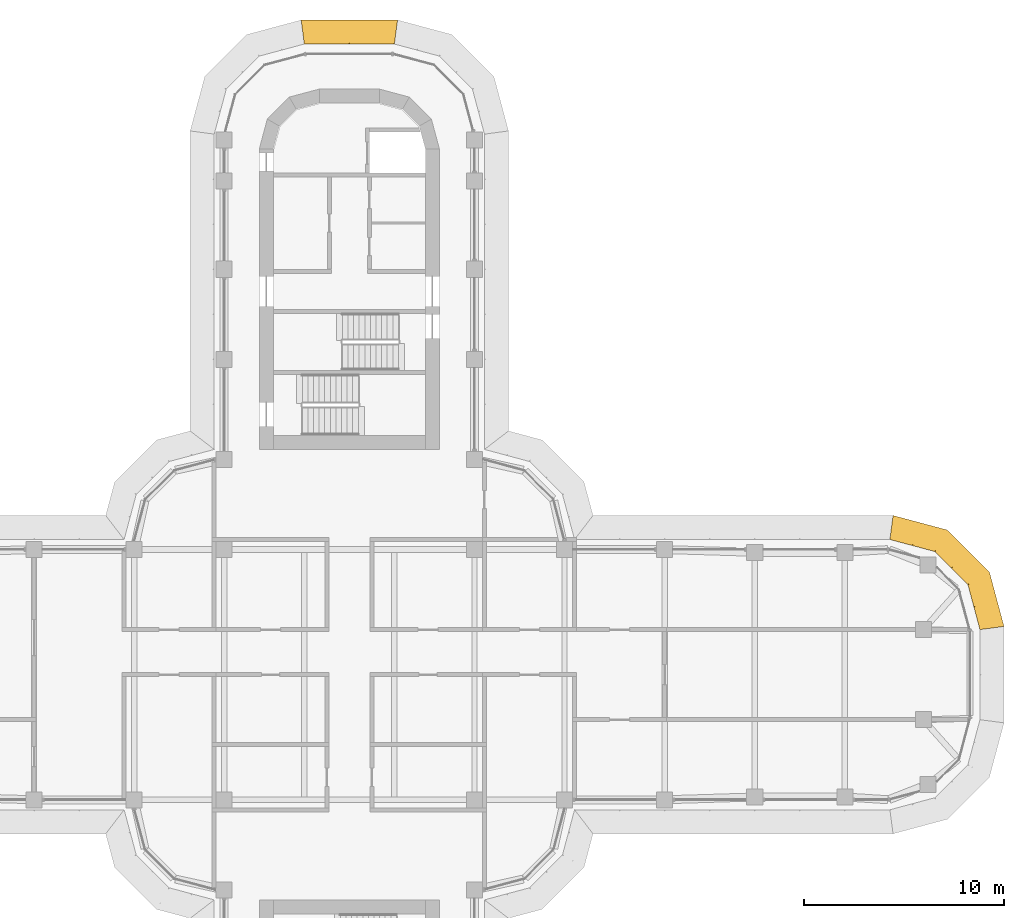
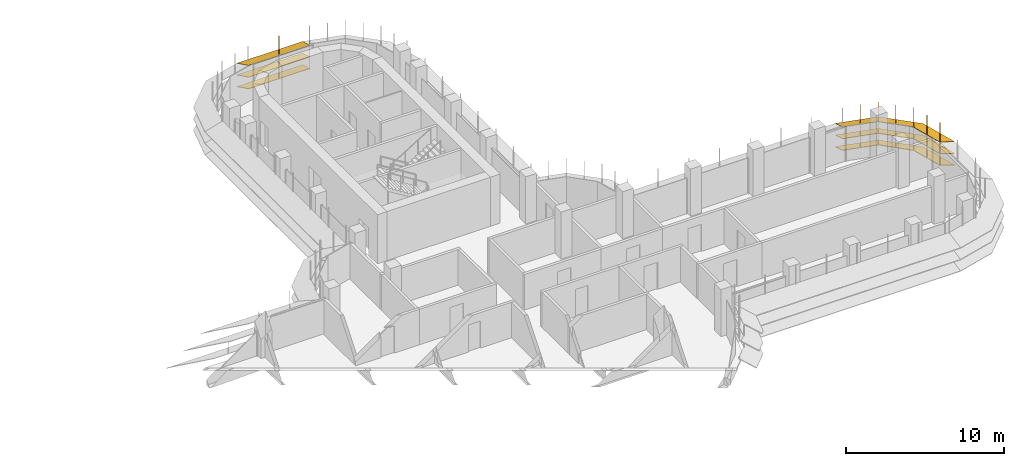
# One storey, part 19 of 19: 2 shading devices.
"""IFC4 building model written with IfcOpenShell, lengths in metres."""

from ifc_helpers import new_model, si_unit, direction, frame, origin, place, context, subcontext, project, spatial, polyline, outline, extrude, faceted_brep, source, transform, mapped, material, type_object, element, save


model = new_model("IFC4")

# Units and contexts
model_context = context("Model", 3, precision=1e-05, world=origin(), true_north=direction((0.0, 1.0)))
body_context = subcontext(model_context, "Body", "Model", "MODEL_VIEW")
ifc_project = project(units=[si_unit("LENGTHUNIT", "METRE"), si_unit("AREAUNIT", "SQUARE_METRE"), si_unit("VOLUMEUNIT", "CUBIC_METRE"), si_unit("PLANEANGLEUNIT", "RADIAN"), si_unit("MASSUNIT", "GRAM", prefix="KILO")], contexts=[model_context])

# Site, building, storey
site_placement = place(None, origin())
site = spatial("IfcSite", under=ifc_project, at=site_placement, CompositionType="ELEMENT")
building_placement = place(site_placement, origin())
building = spatial("IfcBuilding", under=site, at=building_placement, Name="Zarbagh Exchange Tower", CompositionType="ELEMENT")
storey_placement = place(building_placement, frame((0.0, 0.0, 179.0)))
storey = spatial("IfcBuildingStorey", under=building, at=storey_placement, Name="L43", CompositionType="ELEMENT", Elevation=179.0)

# Shading devices
ifc_material = material(Name="Anodised aluminium blades and brackets", Category="aluminium")
shading_device_type = type_object("IfcShadingDeviceType", Name="SUNSHADE louvre band, 22.5 degree blades", PredefinedType="JALOUSIE", material=ifc_material)
shared_shape_1 = source(origin(), body_context, "Body", "Brep", [
    faceted_brep([(0.0, 0.0, 0.0), (0.0, 0.0, -0.043212890625), (-0.157958984375, -1.199951171875, -0.540283203125), (-0.157958984375, -1.199951171875, -0.4970703125), (2.65087890625, -1.199951171875, -0.4970703125), (2.65087890625, -1.199951171875, -0.540283203125), (2.329345703125, 0.0, -0.043212890625), (2.329345703125, 0.0, 0.0)], [[[0, 1, 2, 3]], [[4, 5, 6, 7]], [[0, 7, 6, 1]], [[1, 6, 5, 2]], [[2, 5, 4, 3]], [[3, 4, 7, 0]]]),
])
shared_shape_2 = source(origin(), body_context, "Body", "Brep", [
    faceted_brep([(0.0, 0.0, 0.0), (0.0, 0.0, -0.043212890625), (-0.321533203125, -1.199951171875, -0.540283203125), (-0.321533203125, -1.199951171875, -0.4970703125), (2.65087890625, -1.199951171875, -0.4970703125), (2.65087890625, -1.199951171875, -0.540283203125), (2.329345703125, 0.0, -0.043212890625), (2.329345703125, 0.0, 0.0)], [[[0, 1, 2, 3]], [[4, 5, 6, 7]], [[0, 7, 6, 1]], [[1, 6, 5, 2]], [[2, 5, 4, 3]], [[3, 4, 7, 0]]]),
])
shared_shape_3 = source(origin(), body_context, "Body", "Brep", [
    faceted_brep([(0.0, 0.0, 0.0), (0.0, 0.0, -0.043212890625), (-0.321533203125, -1.199951171875, -0.540283203125), (-0.321533203125, -1.199951171875, -0.4970703125), (2.4873046875, -1.199951171875, -0.4970703125), (2.4873046875, -1.199951171875, -0.540283203125), (2.329345703125, 0.0, -0.043212890625), (2.329345703125, 0.0, 0.0)], [[[0, 1, 2, 3]], [[4, 5, 6, 7]], [[0, 7, 6, 1]], [[1, 6, 5, 2]], [[2, 5, 4, 3]], [[3, 4, 7, 0]]]),
])
shared_shape_4 = source(origin(), body_context, "Body", "SweptSolid", [
    extrude(outline(polyline([(0.0, -0.012451171875), (0.06005859375, -0.012451171875), (0.06005859375, 0.012451171875), (0.0, 0.012451171875), (0.0, -0.012451171875)])), origin(), (0.0, 0.0, 1.0), 3.353271484375),
])
placement = place(storey_placement, origin())
element("IfcShadingDevice", 1, at=placement, inside=storey, type_object=shading_device_type, Name="SS33 sunshade band", PredefinedType="JALOUSIE", context=body_context, shape_type="MappedRepresentation", body=[
    mapped(shared_shape_1, transform((31.5, 2.25, 2.300048828125), x_axis=(-0.258824779902, 0.965924289636, 0.0), y_axis=(-0.965924289636, -0.258824779902, 0.0), z_axis=(0.0, 0.0, 1.0))),
    mapped(shared_shape_1, transform((31.5, 2.25, 1.39990234375), x_axis=(-0.258824779902, 0.965924289636, 0.0), y_axis=(-0.965924289636, -0.258824779902, 0.0), z_axis=(0.0, 0.0, 1.0))),
    mapped(shared_shape_1, transform((31.5, 2.25, 0.5), x_axis=(-0.258824779902, 0.965924289636, 0.0), y_axis=(-0.965924289636, -0.258824779902, 0.0), z_axis=(0.0, 0.0, 1.0))),
    mapped(shared_shape_2, transform((30.897216796875, 4.5, 2.300048828125), x_axis=(-0.707106781187, 0.707106781187, 0.0), y_axis=(-0.707106781187, -0.707106781187, 0.0), z_axis=(0.0, 0.0, 1.0))),
    mapped(shared_shape_2, transform((30.897216796875, 4.5, 1.39990234375), x_axis=(-0.707106781187, 0.707106781187, 0.0), y_axis=(-0.707106781187, -0.707106781187, 0.0), z_axis=(0.0, 0.0, 1.0))),
    mapped(shared_shape_2, transform((30.897216796875, 4.5, 0.5), x_axis=(-0.707106781187, 0.707106781187, 0.0), y_axis=(-0.707106781187, -0.707106781187, 0.0), z_axis=(0.0, 0.0, 1.0))),
    mapped(shared_shape_3, transform((29.25, 6.147216796875, 2.300048828125), x_axis=(-0.965924289636, 0.258824779902, 0.0), y_axis=(-0.258824779902, -0.965924289636, 0.0), z_axis=(0.0, 0.0, 1.0))),
    mapped(shared_shape_3, transform((29.25, 6.147216796875, 1.39990234375), x_axis=(-0.965924289636, 0.258824779902, 0.0), y_axis=(-0.258824779902, -0.965924289636, 0.0), z_axis=(0.0, 0.0, 1.0))),
    mapped(shared_shape_3, transform((29.25, 6.147216796875, 0.5), x_axis=(-0.965924289636, 0.258824779902, 0.0), y_axis=(-0.258824779902, -0.965924289636, 0.0), z_axis=(0.0, 0.0, 1.0))),
    mapped(shared_shape_4, transform((31.5, 2.25, 0.4267578125), x_axis=(0.991444457092, 0.130529263012, 0.0), y_axis=(-0.130529263012, 0.991444457092, 0.0), z_axis=(0.0, 0.0, 1.0))),
    mapped(shared_shape_4, transform((31.198486328125, 3.375, 0.4267578125), x_axis=(0.96592421511, 0.258825058029, 0.0), y_axis=(-0.258825058029, 0.96592421511, 0.0), z_axis=(0.0, 0.0, 1.0))),
    mapped(shared_shape_4, transform((30.897216796875, 4.5, 0.4267578125), x_axis=(0.866023812018, 0.50000275701, 0.0), y_axis=(-0.50000275701, 0.866023812018, 0.0), z_axis=(0.0, 0.0, 1.0))),
    mapped(shared_shape_4, transform((30.073486328125, 5.323486328125, 0.4267578125), x_axis=(0.707106781187, 0.707106781187, 0.0), y_axis=(-0.707106781187, 0.707106781187, 0.0), z_axis=(0.0, 0.0, 1.0))),
    mapped(shared_shape_4, transform((29.25, 6.147216796875, 0.4267578125), x_axis=(0.50000275701, 0.866023812018, 0.0), y_axis=(-0.866023812018, 0.50000275701, 0.0), z_axis=(0.0, 0.0, 1.0))),
    mapped(shared_shape_4, transform((28.125, 6.448486328125, 0.4267578125), x_axis=(0.258825058029, 0.96592421511, 0.0), y_axis=(-0.96592421511, 0.258825058029, 0.0), z_axis=(0.0, 0.0, 1.0))),
])
shared_shape_5 = source(origin(), body_context, "Body", "Brep", [
    faceted_brep([(0.0, 0.0, 0.0), (0.0, 0.0, -0.043212890625), (-0.157958984375, -1.199951171875, -0.540283203125), (-0.157958984375, -1.199951171875, -0.4970703125), (4.657958984375, -1.199951171875, -0.4970703125), (4.657958984375, -1.199951171875, -0.540283203125), (4.5, 0.0, -0.043212890625), (4.5, 0.0, 0.0)], [[[0, 1, 2, 3]], [[4, 5, 6, 7]], [[0, 7, 6, 1]], [[1, 6, 5, 2]], [[2, 5, 4, 3]], [[3, 4, 7, 0]]]),
])
element("IfcShadingDevice", 2, at=placement, inside=storey, type_object=shading_device_type, Name="SS27 sunshade band", PredefinedType="JALOUSIE", context=body_context, shape_type="MappedRepresentation", body=[
    mapped(shared_shape_5, transform((2.25, 31.5, 2.300048828125), x_axis=(-1.0, 0.0, 0.0), y_axis=(0.0, -1.0, 0.0), z_axis=(0.0, 0.0, 1.0))),
    mapped(shared_shape_5, transform((2.25, 31.5, 1.39990234375), x_axis=(-1.0, 0.0, 0.0), y_axis=(0.0, -1.0, 0.0), z_axis=(0.0, 0.0, 1.0))),
    mapped(shared_shape_5, transform((2.25, 31.5, 0.5), x_axis=(-1.0, 0.0, 0.0), y_axis=(0.0, -1.0, 0.0), z_axis=(0.0, 0.0, 1.0))),
    mapped(shared_shape_4, transform((2.25, 31.5, 0.4267578125), x_axis=(0.130529263012, 0.991444457092, 0.0), y_axis=(-0.991444457092, 0.130529263012, 0.0), z_axis=(0.0, 0.0, 1.0))),
    mapped(shared_shape_4, transform((0.0, 31.5, 0.4267578125), x_axis=(0.0, 1.0, 0.0), y_axis=(-1.0, 0.0, 0.0), z_axis=(0.0, 0.0, 1.0))),
])

save(model, "model.ifc")
